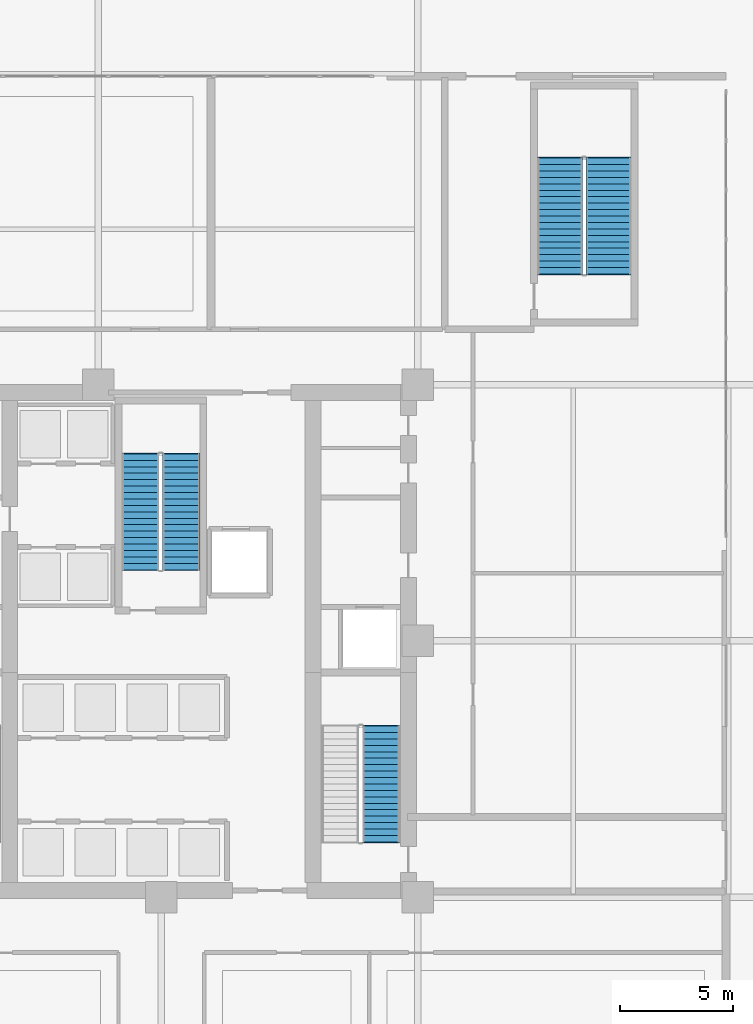
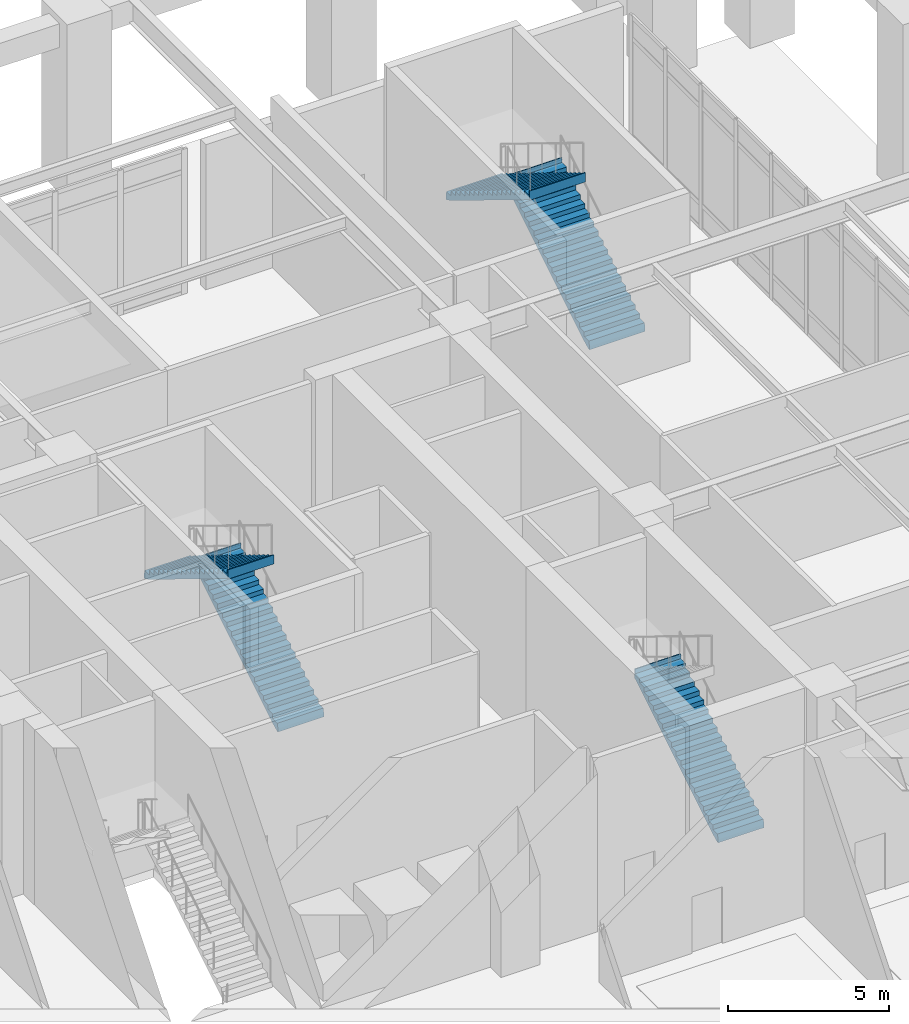
# One storey, part 12 of 17: 5 stair flights, 3 elements without a shape of their own.
"""IFC4 building model written with IfcOpenShell, lengths in metres."""

from ifc_helpers import new_model, si_unit, direction, frame, origin, place, context, subcontext, project, spatial, polyline, outline, extrude, material, type_object, element, aggregate, save


model = new_model("IFC4")

# Units and contexts
model_context = context("Model", 3, precision=1e-05, world=origin(), true_north=direction((0.0, 1.0)))
body_context = subcontext(model_context, "Body", "Model", "MODEL_VIEW")
ifc_project = project(units=[si_unit("LENGTHUNIT", "METRE"), si_unit("AREAUNIT", "SQUARE_METRE"), si_unit("VOLUMEUNIT", "CUBIC_METRE"), si_unit("PLANEANGLEUNIT", "RADIAN"), si_unit("MASSUNIT", "GRAM", prefix="KILO")], contexts=[model_context])

# Site, building, storey
site_placement = place(None, origin())
site = spatial("IfcSite", under=ifc_project, at=site_placement, CompositionType="ELEMENT")
building_placement = place(site_placement, origin())
building = spatial("IfcBuilding", under=site, at=building_placement, Name="Nhamokura Convention Tower", CompositionType="ELEMENT")
storey_placement = place(building_placement, origin())
storey = spatial("IfcBuildingStorey", under=building, at=storey_placement, Name="L00", CompositionType="ELEMENT", Elevation=0.0)

# Stair, stair flights
ifc_material_1 = material(Name="Concrete C40/50", Category="concrete")
stair_type_1 = type_object("IfcStairType", Name="PodiumExitStair_2000", PredefinedType="HALF_TURN_STAIR", material=ifc_material_1)
stair_1_placement = place(storey_placement, origin())
stair_1 = element("IfcStair", 1, at=stair_1_placement, inside=storey, type_object=stair_type_1, Name="L00 North-East Podium Smokeproof Stair ST-05", PredefinedType="HALF_TURN_STAIR")
ifc_material_2 = material(Name="Concrete C40/50", Category="concrete")
stair_flight_type_1 = type_object("IfcStairFlightType", Name="PodiumExitStair_2000_Flight", PredefinedType="STRAIGHT", material=ifc_material_2)
stair_flight_1_placement = place(storey_placement, frame((51.800048828125, 48.25, 0.0), z_axis=(0.0, 0.0, 1.0), x_axis=(0.0, 1.0, 0.0)))
stair_flight_1 = element("IfcStairFlight", 2, at=stair_flight_1_placement, type_object=stair_flight_type_1, Name="ST-05 flight 1", NumberOfRisers=19, NumberOfTreads=18, PredefinedType="STRAIGHT", RiserHeight=0.175, TreadLength=0.285, context=body_context, shape_type="SweptSolid", body=[
    extrude(outline(polyline([(-0.0419921875, 0.0), (0.0, 0.175048828125), (0.284912109375, 0.175048828125), (0.284912109375, 0.35009765625), (0.570068359375, 0.35009765625), (0.570068359375, 0.52490234375), (0.85498046875, 0.52490234375), (0.85498046875, 0.699951171875), (1.139892578125, 0.699951171875), (1.139892578125, 0.875), (1.425048828125, 0.875), (1.425048828125, 1.050048828125), (1.7099609375, 1.050048828125), (1.7099609375, 1.22509765625), (1.9951171875, 1.22509765625), (1.9951171875, 1.39990234375), (2.280029296875, 1.39990234375), (2.280029296875, 1.574951171875), (2.56494140625, 1.574951171875), (2.56494140625, 1.75), (2.85009765625, 1.75), (2.85009765625, 1.925048828125), (3.135009765625, 1.925048828125), (3.135009765625, 2.10009765625), (3.419921875, 2.10009765625), (3.419921875, 2.27490234375), (3.705078125, 2.27490234375), (3.705078125, 2.449951171875), (3.989990234375, 2.449951171875), (3.989990234375, 2.625), (4.27490234375, 2.625), (4.27490234375, 2.800048828125), (4.56005859375, 2.800048828125), (4.56005859375, 2.97509765625), (4.844970703125, 2.97509765625), (4.844970703125, 3.14990234375), (5.1298828125, 3.14990234375), (5.1298828125, 3.324951171875), (5.172119140625, 3.324951171875), (5.172119140625, 2.97412109375), (5.1298828125, 2.97412109375), (0.286376953125, 0.0), (0.02001953125, -0.1298828125), (-0.0419921875, -0.1298828125), (-0.0419921875, 0.0)])), frame((0.0, 1.0, 0.0), z_axis=(0.0, -1.0, 0.0), x_axis=(1.0, 0.0, 0.0)), (0.0, 0.0, 1.0), 2.0),
])
stair_flight_2_placement = place(storey_placement, frame((49.64990234375, 53.3798828125, 3.324951171875), z_axis=(0.0, 0.0, 1.0), x_axis=(0.0, -1.0, 0.0)))
stair_flight_2 = element("IfcStairFlight", 3, at=stair_flight_2_placement, type_object=stair_flight_type_1, Name="ST-05 flight 2", NumberOfRisers=19, NumberOfTreads=18, PredefinedType="STRAIGHT", RiserHeight=0.175, TreadLength=0.285, context=body_context, shape_type="SweptSolid", body=[
    extrude(outline(polyline([(-0.0419921875, 0.0), (0.0, 0.175048828125), (0.284912109375, 0.175048828125), (0.284912109375, 0.35009765625), (0.570068359375, 0.35009765625), (0.570068359375, 0.52490234375), (0.85498046875, 0.52490234375), (0.85498046875, 0.699951171875), (1.139892578125, 0.699951171875), (1.139892578125, 0.875), (1.425048828125, 0.875), (1.425048828125, 1.050048828125), (1.7099609375, 1.050048828125), (1.7099609375, 1.22509765625), (1.9951171875, 1.22509765625), (1.9951171875, 1.39990234375), (2.280029296875, 1.39990234375), (2.280029296875, 1.574951171875), (2.56494140625, 1.574951171875), (2.56494140625, 1.75), (2.85009765625, 1.75), (2.85009765625, 1.925048828125), (3.135009765625, 1.925048828125), (3.135009765625, 2.10009765625), (3.419921875, 2.10009765625), (3.419921875, 2.27490234375), (3.705078125, 2.27490234375), (3.705078125, 2.449951171875), (3.989990234375, 2.449951171875), (3.989990234375, 2.625), (4.27490234375, 2.625), (4.27490234375, 2.800048828125), (4.56005859375, 2.800048828125), (4.56005859375, 2.97509765625), (4.844970703125, 2.97509765625), (4.844970703125, 3.14990234375), (5.1298828125, 3.14990234375), (5.1298828125, 3.324951171875), (5.172119140625, 3.324951171875), (5.172119140625, 2.97412109375), (5.1298828125, 2.97412109375), (0.286376953125, 0.0), (0.02001953125, -0.1298828125), (-0.0419921875, -0.1298828125), (-0.0419921875, 0.0)])), frame((0.0, 1.0, 0.0), z_axis=(0.0, -1.0, 0.0), x_axis=(1.0, 0.0, 0.0)), (0.0, 0.0, 1.0), 2.0),
])
aggregate(stair_1, [stair_flight_1, stair_flight_2])

# Stair, stair flight
ifc_material_3 = material(Name="Concrete C40/50", Category="concrete")
stair_type_2 = type_object("IfcStairType", Name="TowerCoreStair_1650", PredefinedType="HALF_TURN_STAIR", material=ifc_material_3)
stair_2_placement = place(storey_placement, origin())
stair_2 = element("IfcStair", 4, at=stair_2_placement, inside=storey, type_object=stair_type_2, Name="L00 East Core Smokeproof Stair ST-02", PredefinedType="HALF_TURN_STAIR")
ifc_material_4 = material(Name="Concrete C40/50", Category="concrete")
stair_flight_type_2 = type_object("IfcStairFlightType", Name="TowerCoreStair_1650_Flight", PredefinedType="STRAIGHT", material=ifc_material_4)
stair_flight_3_placement = place(storey_placement, frame((41.72509765625, 23.10009765625, 0.0), z_axis=(0.0, 0.0, 1.0), x_axis=(0.0, 1.0, 0.0)))
stair_flight_3 = element("IfcStairFlight", 5, at=stair_flight_3_placement, type_object=stair_flight_type_2, Name="ST-02 flight 1", NumberOfRisers=19, NumberOfTreads=18, PredefinedType="STRAIGHT", RiserHeight=0.175, TreadLength=0.285, context=body_context, shape_type="SweptSolid", body=[
    extrude(outline(polyline([(-0.0419921875, 0.0), (0.0, 0.175048828125), (0.284912109375, 0.175048828125), (0.284912109375, 0.35009765625), (0.570068359375, 0.35009765625), (0.570068359375, 0.52490234375), (0.85498046875, 0.52490234375), (0.85498046875, 0.699951171875), (1.139892578125, 0.699951171875), (1.139892578125, 0.875), (1.425048828125, 0.875), (1.425048828125, 1.050048828125), (1.7099609375, 1.050048828125), (1.7099609375, 1.22509765625), (1.9951171875, 1.22509765625), (1.9951171875, 1.39990234375), (2.280029296875, 1.39990234375), (2.280029296875, 1.574951171875), (2.56494140625, 1.574951171875), (2.56494140625, 1.75), (2.85009765625, 1.75), (2.85009765625, 1.925048828125), (3.135009765625, 1.925048828125), (3.135009765625, 2.10009765625), (3.419921875, 2.10009765625), (3.419921875, 2.27490234375), (3.705078125, 2.27490234375), (3.705078125, 2.449951171875), (3.989990234375, 2.449951171875), (3.989990234375, 2.625), (4.27490234375, 2.625), (4.27490234375, 2.800048828125), (4.56005859375, 2.800048828125), (4.56005859375, 2.97509765625), (4.844970703125, 2.97509765625), (4.844970703125, 3.14990234375), (5.1298828125, 3.14990234375), (5.1298828125, 3.324951171875), (5.172119140625, 3.324951171875), (5.172119140625, 2.97412109375), (5.1298828125, 2.97412109375), (0.286376953125, 0.0), (0.02001953125, -0.1298828125), (-0.0419921875, -0.1298828125), (-0.0419921875, 0.0)])), frame((0.0, 0.824951171875, 0.0), z_axis=(0.0, -1.0, 0.0), x_axis=(1.0, 0.0, 0.0)), (0.0, 0.0, 1.0), 1.64990234375),
])
aggregate(stair_2, [stair_flight_3])

# Stair, stair flights
stair_3_placement = place(storey_placement, origin())
stair_3 = element("IfcStair", 6, at=stair_3_placement, inside=storey, type_object=stair_type_2, Name="L00 North Core Smokeproof Stair ST-03", PredefinedType="HALF_TURN_STAIR")
stair_flight_4_placement = place(storey_placement, frame((32.875, 35.14990234375, 0.0), z_axis=(0.0, 0.0, 1.0), x_axis=(0.0, 1.0, 0.0)))
stair_flight_4 = element("IfcStairFlight", 7, at=stair_flight_4_placement, type_object=stair_flight_type_2, Name="ST-03 flight 1", NumberOfRisers=19, NumberOfTreads=18, PredefinedType="STRAIGHT", RiserHeight=0.175, TreadLength=0.285, context=body_context, shape_type="SweptSolid", body=[
    extrude(outline(polyline([(-0.0419921875, 0.0), (0.0, 0.175048828125), (0.284912109375, 0.175048828125), (0.284912109375, 0.35009765625), (0.570068359375, 0.35009765625), (0.570068359375, 0.52490234375), (0.85498046875, 0.52490234375), (0.85498046875, 0.699951171875), (1.139892578125, 0.699951171875), (1.139892578125, 0.875), (1.425048828125, 0.875), (1.425048828125, 1.050048828125), (1.7099609375, 1.050048828125), (1.7099609375, 1.22509765625), (1.9951171875, 1.22509765625), (1.9951171875, 1.39990234375), (2.280029296875, 1.39990234375), (2.280029296875, 1.574951171875), (2.56494140625, 1.574951171875), (2.56494140625, 1.75), (2.85009765625, 1.75), (2.85009765625, 1.925048828125), (3.135009765625, 1.925048828125), (3.135009765625, 2.10009765625), (3.419921875, 2.10009765625), (3.419921875, 2.27490234375), (3.705078125, 2.27490234375), (3.705078125, 2.449951171875), (3.989990234375, 2.449951171875), (3.989990234375, 2.625), (4.27490234375, 2.625), (4.27490234375, 2.800048828125), (4.56005859375, 2.800048828125), (4.56005859375, 2.97509765625), (4.844970703125, 2.97509765625), (4.844970703125, 3.14990234375), (5.1298828125, 3.14990234375), (5.1298828125, 3.324951171875), (5.172119140625, 3.324951171875), (5.172119140625, 2.97412109375), (5.1298828125, 2.97412109375), (0.286376953125, 0.0), (0.02001953125, -0.1298828125), (-0.0419921875, -0.1298828125), (-0.0419921875, 0.0)])), frame((0.0, 0.824951171875, 0.0), z_axis=(0.0, -1.0, 0.0), x_axis=(1.0, 0.0, 0.0)), (0.0, 0.0, 1.0), 1.64990234375),
])
stair_flight_5_placement = place(storey_placement, frame((31.074951171875, 40.280029296875, 3.324951171875), z_axis=(0.0, 0.0, 1.0), x_axis=(0.0, -1.0, 0.0)))
stair_flight_5 = element("IfcStairFlight", 8, at=stair_flight_5_placement, type_object=stair_flight_type_2, Name="ST-03 flight 2", NumberOfRisers=19, NumberOfTreads=18, PredefinedType="STRAIGHT", RiserHeight=0.175, TreadLength=0.285, context=body_context, shape_type="SweptSolid", body=[
    extrude(outline(polyline([(-0.0419921875, 0.0), (0.0, 0.175048828125), (0.284912109375, 0.175048828125), (0.284912109375, 0.35009765625), (0.570068359375, 0.35009765625), (0.570068359375, 0.52490234375), (0.85498046875, 0.52490234375), (0.85498046875, 0.699951171875), (1.139892578125, 0.699951171875), (1.139892578125, 0.875), (1.425048828125, 0.875), (1.425048828125, 1.050048828125), (1.7099609375, 1.050048828125), (1.7099609375, 1.22509765625), (1.9951171875, 1.22509765625), (1.9951171875, 1.39990234375), (2.280029296875, 1.39990234375), (2.280029296875, 1.574951171875), (2.56494140625, 1.574951171875), (2.56494140625, 1.75), (2.85009765625, 1.75), (2.85009765625, 1.925048828125), (3.135009765625, 1.925048828125), (3.135009765625, 2.10009765625), (3.419921875, 2.10009765625), (3.419921875, 2.27490234375), (3.705078125, 2.27490234375), (3.705078125, 2.449951171875), (3.989990234375, 2.449951171875), (3.989990234375, 2.625), (4.27490234375, 2.625), (4.27490234375, 2.800048828125), (4.56005859375, 2.800048828125), (4.56005859375, 2.97509765625), (4.844970703125, 2.97509765625), (4.844970703125, 3.14990234375), (5.1298828125, 3.14990234375), (5.1298828125, 3.324951171875), (5.172119140625, 3.324951171875), (5.172119140625, 2.97412109375), (5.1298828125, 2.97412109375), (0.286376953125, 0.0), (0.02001953125, -0.1298828125), (-0.0419921875, -0.1298828125), (-0.0419921875, 0.0)])), frame((0.0, 0.824951171875, 0.0), z_axis=(0.0, -1.0, 0.0), x_axis=(1.0, 0.0, 0.0)), (0.0, 0.0, 1.0), 1.64990234375),
])
aggregate(stair_3, [stair_flight_4, stair_flight_5])

save(model, "model.ifc")
